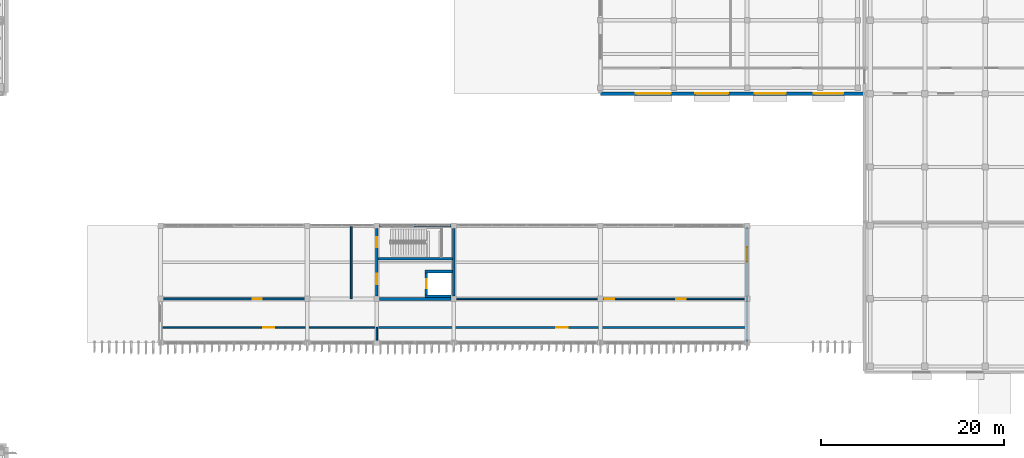
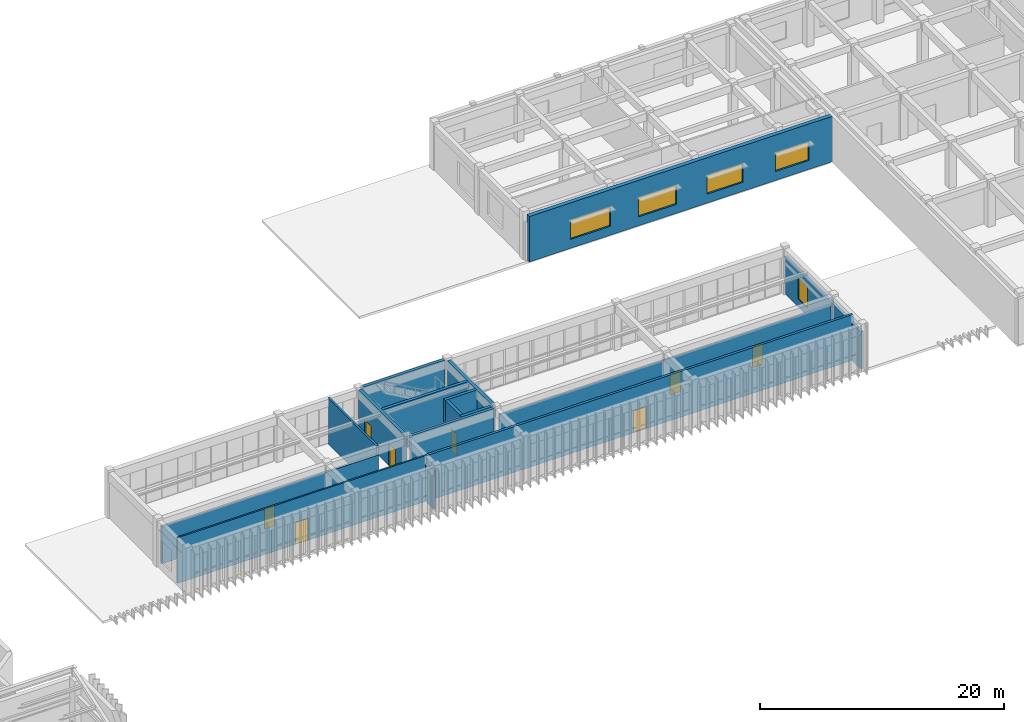
# One storey, part 54 of 76: 16 walls, 8 doors, 5 windows, 13 openings.
"""IFC4 building model written with IfcOpenShell, lengths in metres."""

from ifc_helpers import new_model, si_unit, direction, frame, frame_2d, origin, place, context, subcontext, project, spatial, rectangle, extrude, material, layer, layer_set, type_object, element, fill, save


model = new_model("IFC4")

# Units and contexts
model_context = context("Model", 3, precision=1e-05, world=origin(), true_north=direction((0.0, 1.0)))
body_context = subcontext(model_context, "Body", "Model", "MODEL_VIEW")
ifc_project = project(units=[si_unit("LENGTHUNIT", "METRE"), si_unit("AREAUNIT", "SQUARE_METRE"), si_unit("VOLUMEUNIT", "CUBIC_METRE"), si_unit("PLANEANGLEUNIT", "RADIAN"), si_unit("MASSUNIT", "GRAM", prefix="KILO")], contexts=[model_context])

# Site, building, storey
site_placement = place(None, origin())
site = spatial("IfcSite", under=ifc_project, at=site_placement, CompositionType="ELEMENT")
building_placement = place(site_placement, origin())
building = spatial("IfcBuilding", under=site, at=building_placement, Name="Cinchona Park Media Centre", CompositionType="ELEMENT")
storey_placement = place(building_placement, frame((0.0, 0.0, 15.60009765625)))
storey = spatial("IfcBuildingStorey", under=building, at=storey_placement, Name="L03", CompositionType="ELEMENT", Elevation=15.60009765625)

# Wall, opening, door
ifc_material_1 = material(Name="Acoustic Double-Stud Gypsum Partition", Category="gypsum")
ifc_layer_1 = layer(ifc_material_1, 0.2099609375)
ifc_layer_set_1 = layer_set([ifc_layer_1], Name="Acoustic Double-Stud Gypsum Partition")
wall_type_1 = type_object("IfcWallType", Name="WALL-W-AC210", PredefinedType="PARTITIONING", material=ifc_layer_set_1)
wall_1_placement = place(storey_placement, frame((63.10205078125, 79.60009765625, 0.0), z_axis=(0.0, 0.0, 1.0), x_axis=(1.0, 0.0, 0.0)))
wall_1 = element("IfcWall", 1, at=wall_1_placement, inside=storey, type_object=wall_type_1, Name="Interior Wall W-AC210 L03", PredefinedType="PARTITIONING", context=body_context, shape_type="SweptSolid", body=[
    extrude(rectangle(XDim=20.498046875, YDim=0.2099609375, at=frame_2d((10.2490234375, 0.0))), origin(), (0.0, 0.0, 1.0), 3.72998046875),
])
opening_1_placement = place(wall_1_placement, frame((9.77392578125, 0.0, 0.0)))
opening_1 = element("IfcOpeningElement", 2, at=opening_1_placement, cuts=wall_1, Name="Opening D314", PredefinedType="OPENING", context=body_context, shape_type="SweptSolid", body=[
    extrude(rectangle(XDim=0.949951171875, YDim=2.10009765625, at=frame_2d((0.47509765625, 1.050048828125))), frame((0.0, 0.114990234375, 0.0), z_axis=(0.0, -1.0, 0.0), x_axis=(1.0, 0.0, 0.0)), (0.0, 0.0, 1.0), 0.22998046875),
])
ifc_material_2 = material(Name="Solid-Core Timber Acoustic Door", Category="wood")
door_type_1 = type_object("IfcDoorType", Name="DOOR-DT02", OperationType="NOTDEFINED", PredefinedType="DOOR", material=ifc_material_2)
door_1_placement = place(opening_1_placement, origin())
door_1 = element("IfcDoor", 3, at=door_1_placement, inside=storey, type_object=door_type_1, Name="Interior Door D314", OperationType="SINGLE_SWING_RIGHT", OverallHeight=2.10009765625, OverallWidth=0.949951171875, PredefinedType="DOOR", context=body_context, shape_type="SweptSolid", body=[
    extrude(rectangle(XDim=0.949951171875, YDim=2.10009765625, at=frame_2d((0.47509765625, 1.050048828125))), frame((0.0, 0.02490234375, 0.0), z_axis=(0.0, -1.0, 0.0), x_axis=(1.0, 0.0, 0.0)), (0.0, 0.0, 1.0), 0.050048828125),
])
fill(opening_1, door_1)

ifc_material_3 = material(Name="Acoustic Double-Stud Gypsum Partition", Category="gypsum")
ifc_layer_2 = layer(ifc_material_3, 0.239990234375)
ifc_layer_set_2 = layer_set([ifc_layer_2], Name="Acoustic Double-Stud Gypsum Partition")
wall_type_2 = type_object("IfcWallType", Name="WALL-W-AC240", PredefinedType="PARTITIONING", material=ifc_layer_set_2)
wall_2_placement = place(storey_placement, frame((126.800048828125, 76.5, 0.0), z_axis=(0.0, 0.0, 1.0), x_axis=(-1.0, 0.0, 0.0)))
wall_2 = element("IfcWall", 4, at=wall_2_placement, inside=storey, type_object=wall_type_2, Name="Interior Wall W-AC240 L03", PredefinedType="PARTITIONING", context=body_context, shape_type="SweptSolid", body=[
    extrude(rectangle(XDim=40.400146484375, YDim=0.239990234375, at=frame_2d((20.2001953125, 0.0))), origin(), (0.0, 0.0, 1.0), 4.579833984375),
])
opening_2_placement = place(wall_2_placement, frame((19.570068359375, 0.0, 0.0)))
opening_2 = element("IfcOpeningElement", 5, at=opening_2_placement, cuts=wall_2, Name="Opening D313", PredefinedType="OPENING", context=body_context, shape_type="SweptSolid", body=[
    extrude(rectangle(XDim=1.260009765625, YDim=2.199951171875, at=frame_2d((0.6298828125, 1.10009765625))), frame((0.0, 0.1298828125, 0.0), z_axis=(0.0, -1.0, 0.0), x_axis=(1.0, 0.0, 0.0)), (0.0, 0.0, 1.0), 0.260009765625),
])
ifc_material_4 = material(Name="Fire-Rated Acoustic Timber-Steel Door", Category="steel")
door_type_2 = type_object("IfcDoorType", Name="DOOR-DT11", OperationType="NOTDEFINED", PredefinedType="DOOR", material=ifc_material_4)
door_2_placement = place(opening_2_placement, origin())
door_2 = element("IfcDoor", 6, at=door_2_placement, inside=storey, type_object=door_type_2, Name="Interior Door D313", OperationType="SINGLE_SWING_LEFT", OverallHeight=2.199951171875, OverallWidth=1.260009765625, PredefinedType="DOOR", context=body_context, shape_type="SweptSolid", body=[
    extrude(rectangle(XDim=1.260009765625, YDim=2.199951171875, at=frame_2d((0.6298828125, 1.10009765625))), frame((0.0, 0.02490234375, 0.0), z_axis=(0.0, -1.0, 0.0), x_axis=(1.0, 0.0, 0.0)), (0.0, 0.0, 1.0), 0.050048828125),
])
fill(opening_2, door_2)

# Wall, openings, windows
ifc_material_5 = material(Name="Precast concrete C40/50", Category="concrete")
ifc_layer_3 = layer(ifc_material_5, 0.3798828125)
ifc_layer_set_3 = layer_set([ifc_layer_3], Name="Precast concrete C40/50")
wall_type_3 = type_object("IfcWallType", Name="WALL-W-EX01", PredefinedType="SOLIDWALL", material=ifc_layer_set_3)
wall_3_placement = place(storey_placement, frame((139.5, 102.0, 0.0), z_axis=(0.0, 0.0, 1.0), x_axis=(-1.0, 0.0, 0.0)))
wall_3 = element("IfcWall", 7, at=wall_3_placement, inside=storey, type_object=wall_type_3, Name="Exterior Wall W-EX01 V3 L03", PredefinedType="SOLIDWALL", context=body_context, shape_type="SweptSolid", body=[
    extrude(rectangle(XDim=28.699951171875, YDim=0.3798828125, at=frame_2d((14.35009765625, 0.0))), origin(), (0.0, 0.0, 1.0), 4.554931640625),
])
opening_3_placement = place(wall_3_placement, frame((2.199951171875, 0.0, 0.89990234375)))
opening_3 = element("IfcOpeningElement", 8, at=opening_3_placement, cuts=wall_3, Name="Opening WN33", PredefinedType="OPENING", context=body_context, shape_type="SweptSolid", body=[
    extrude(rectangle(XDim=3.199951171875, YDim=1.85009765625, at=frame_2d((1.60009765625, 0.925048828125))), frame((0.0, 0.199951171875, 0.0), z_axis=(0.0, -1.0, 0.0), x_axis=(1.0, 0.0, 0.0)), (0.0, 0.0, 1.0), 0.39990234375),
])
opening_4_placement = place(wall_3_placement, frame((8.47509765625, 0.0, 0.89990234375)))
opening_4 = element("IfcOpeningElement", 9, at=opening_4_placement, cuts=wall_3, Name="Opening WN34", PredefinedType="OPENING", context=body_context, shape_type="SweptSolid", body=[
    extrude(rectangle(XDim=3.39990234375, YDim=1.85009765625, at=frame_2d((1.699951171875, 0.925048828125))), frame((0.0, 0.199951171875, 0.0), z_axis=(0.0, -1.0, 0.0), x_axis=(1.0, 0.0, 0.0)), (0.0, 0.0, 1.0), 0.39990234375),
])
opening_5_placement = place(wall_3_placement, frame((14.75, 0.0, 0.89990234375)))
opening_5 = element("IfcOpeningElement", 10, at=opening_5_placement, cuts=wall_3, Name="Opening WN35", PredefinedType="OPENING", context=body_context, shape_type="SweptSolid", body=[
    extrude(rectangle(XDim=3.60009765625, YDim=1.89990234375, at=frame_2d((1.800048828125, 0.949951171875))), frame((0.0, 0.199951171875, 0.0), z_axis=(0.0, -1.0, 0.0), x_axis=(1.0, 0.0, 0.0)), (0.0, 0.0, 1.0), 0.39990234375),
])
opening_6_placement = place(wall_3_placement, frame((21.02490234375, 0.0, 0.89990234375)))
opening_6 = element("IfcOpeningElement", 11, at=opening_6_placement, cuts=wall_3, Name="Opening WN36", PredefinedType="OPENING", context=body_context, shape_type="SweptSolid", body=[
    extrude(rectangle(XDim=3.800048828125, YDim=1.89990234375, at=frame_2d((1.89990234375, 0.949951171875))), frame((0.0, 0.199951171875, 0.0), z_axis=(0.0, -1.0, 0.0), x_axis=(1.0, 0.0, 0.0)), (0.0, 0.0, 1.0), 0.39990234375),
])
ifc_material_6 = material(Name="Thermally Broken Aluminium Solar-Control Window", Category="aluminium")
window_type_1 = type_object("IfcWindowType", Name="WIN-WN33", PartitioningType="SINGLE_PANEL", PredefinedType="WINDOW", material=ifc_material_6)
window_1_placement = place(opening_3_placement, origin())
window_1 = element("IfcWindow", 12, at=window_1_placement, inside=storey, type_object=window_type_1, Name="Window WN33 L03", OverallHeight=1.85009765625, OverallWidth=3.199951171875, PartitioningType="SINGLE_PANEL", PredefinedType="WINDOW", context=body_context, shape_type="SweptSolid", body=[
    extrude(rectangle(XDim=3.199951171875, YDim=1.85009765625, at=frame_2d((1.60009765625, 0.925048828125))), frame((0.0, 0.030029296875, 0.0), z_axis=(0.0, -1.0, 0.0), x_axis=(1.0, 0.0, 0.0)), (0.0, 0.0, 1.0), 0.06005859375),
])
fill(opening_3, window_1)
ifc_material_7 = material(Name="Thermally Broken Aluminium Solar-Control Window", Category="aluminium")
window_type_2 = type_object("IfcWindowType", Name="WIN-WN34", PartitioningType="SINGLE_PANEL", PredefinedType="WINDOW", material=ifc_material_7)
window_2_placement = place(opening_4_placement, origin())
window_2 = element("IfcWindow", 13, at=window_2_placement, inside=storey, type_object=window_type_2, Name="Window WN34 L03", OverallHeight=1.85009765625, OverallWidth=3.39990234375, PartitioningType="SINGLE_PANEL", PredefinedType="WINDOW", context=body_context, shape_type="SweptSolid", body=[
    extrude(rectangle(XDim=3.39990234375, YDim=1.85009765625, at=frame_2d((1.699951171875, 0.925048828125))), frame((0.0, 0.030029296875, 0.0), z_axis=(0.0, -1.0, 0.0), x_axis=(1.0, 0.0, 0.0)), (0.0, 0.0, 1.0), 0.06005859375),
])
fill(opening_4, window_2)
ifc_material_8 = material(Name="Thermally Broken Aluminium Solar-Control Window", Category="aluminium")
window_type_3 = type_object("IfcWindowType", Name="WIN-WN35", PartitioningType="SINGLE_PANEL", PredefinedType="WINDOW", material=ifc_material_8)
window_3_placement = place(opening_5_placement, origin())
window_3 = element("IfcWindow", 14, at=window_3_placement, inside=storey, type_object=window_type_3, Name="Window WN35 L03", OverallHeight=1.89990234375, OverallWidth=3.60009765625, PartitioningType="SINGLE_PANEL", PredefinedType="WINDOW", context=body_context, shape_type="SweptSolid", body=[
    extrude(rectangle(XDim=3.60009765625, YDim=1.89990234375, at=frame_2d((1.800048828125, 0.949951171875))), frame((0.0, 0.030029296875, 0.0), z_axis=(0.0, -1.0, 0.0), x_axis=(1.0, 0.0, 0.0)), (0.0, 0.0, 1.0), 0.06005859375),
])
fill(opening_5, window_3)
ifc_material_9 = material(Name="Thermally Broken Aluminium Solar-Control Window", Category="aluminium")
window_type_4 = type_object("IfcWindowType", Name="WIN-WN36", PartitioningType="SINGLE_PANEL", PredefinedType="WINDOW", material=ifc_material_9)
window_4_placement = place(opening_6_placement, origin())
window_4 = element("IfcWindow", 15, at=window_4_placement, inside=storey, type_object=window_type_4, Name="Window WN36 L03", OverallHeight=1.89990234375, OverallWidth=3.800048828125, PartitioningType="SINGLE_PANEL", PredefinedType="WINDOW", context=body_context, shape_type="SweptSolid", body=[
    extrude(rectangle(XDim=3.800048828125, YDim=1.89990234375, at=frame_2d((1.89990234375, 0.949951171875))), frame((0.0, 0.030029296875, 0.0), z_axis=(0.0, -1.0, 0.0), x_axis=(1.0, 0.0, 0.0)), (0.0, 0.0, 1.0), 0.06005859375),
])
fill(opening_6, window_4)

# Wall, opening, window
ifc_material_10 = material(Name="Precast concrete C40/50", Category="concrete")
ifc_layer_4 = layer(ifc_material_10, 0.25)
ifc_layer_set_4 = layer_set([ifc_layer_4], Name="Precast concrete C40/50")
wall_type_4 = type_object("IfcWallType", Name="WALL-W-EX04", PredefinedType="SOLIDWALL", material=ifc_layer_set_4)
wall_4_placement = place(storey_placement, frame((126.800048828125, 87.4599609375, 0.0), z_axis=(0.0, 0.0, 1.0), x_axis=(0.0, -1.0, 0.0)))
wall_4 = element("IfcWall", 16, at=wall_4_placement, inside=storey, type_object=wall_type_4, Name="Exterior Wall W-EX04 V5 L03", PredefinedType="SOLIDWALL", context=body_context, shape_type="SweptSolid", body=[
    extrude(rectangle(XDim=12.52001953125, YDim=0.25, at=frame_2d((6.260009765625, 0.0))), origin(), (0.0, 0.0, 1.0), 3.72998046875),
])
opening_7_placement = place(wall_4_placement, frame((2.199951171875, 0.0, 0.800048828125)))
opening_7 = element("IfcOpeningElement", 17, at=opening_7_placement, cuts=wall_4, Name="Opening WN03", PredefinedType="OPENING", context=body_context, shape_type="SweptSolid", body=[
    extrude(rectangle(XDim=1.60009765625, YDim=2.10009765625, at=frame_2d((0.800048828125, 1.050048828125))), frame((0.0, 0.135009765625, 0.0), z_axis=(0.0, -1.0, 0.0), x_axis=(1.0, 0.0, 0.0)), (0.0, 0.0, 1.0), 0.27001953125),
])
ifc_material_11 = material(Name="Thermally Broken Aluminium Solar-Control Window", Category="aluminium")
window_type_5 = type_object("IfcWindowType", Name="WIN-WN03", PartitioningType="SINGLE_PANEL", PredefinedType="WINDOW", material=ifc_material_11)
window_5_placement = place(opening_7_placement, origin())
window_5 = element("IfcWindow", 18, at=window_5_placement, inside=storey, type_object=window_type_5, Name="Window WN03 L03", OverallHeight=2.10009765625, OverallWidth=1.60009765625, PartitioningType="SINGLE_PANEL", PredefinedType="WINDOW", context=body_context, shape_type="SweptSolid", body=[
    extrude(rectangle(XDim=1.60009765625, YDim=2.10009765625, at=frame_2d((0.800048828125, 1.050048828125))), frame((0.0, 0.030029296875, 0.0), z_axis=(0.0, -1.0, 0.0), x_axis=(1.0, 0.0, 0.0)), (0.0, 0.0, 1.0), 0.06005859375),
])
fill(opening_7, window_5)

# Wall, opening, door
ifc_material_12 = material(Name="Fire-Rated Gypsum Stud Partition", Category="gypsum")
ifc_layer_5 = layer(ifc_material_12, 0.14990234375)
ifc_layer_set_5 = layer_set([ifc_layer_5], Name="Fire-Rated Gypsum Stud Partition")
wall_type_5 = type_object("IfcWallType", Name="WALL-W-PT150", PredefinedType="PARTITIONING", material=ifc_layer_set_5)
wall_5_placement = place(storey_placement, frame((86.39990234375, 76.5, 0.0), z_axis=(0.0, 0.0, 1.0), x_axis=(-1.0, 0.0, 0.0)))
wall_5 = element("IfcWall", 19, at=wall_5_placement, inside=storey, type_object=wall_type_5, Name="Interior Wall W-PT150 L03", PredefinedType="PARTITIONING", context=body_context, shape_type="SweptSolid", body=[
    extrude(rectangle(XDim=23.599853515625, YDim=0.14990234375, at=frame_2d((11.7998046875, 0.0))), origin(), (0.0, 0.0, 1.0), 4.579833984375),
])
opening_8_placement = place(wall_5_placement, frame((11.18994140625, 0.0, 0.0)))
opening_8 = element("IfcOpeningElement", 20, at=opening_8_placement, cuts=wall_5, Name="Opening D312", PredefinedType="OPENING", context=body_context, shape_type="SweptSolid", body=[
    extrude(rectangle(XDim=1.219970703125, YDim=2.199951171875, at=frame_2d((0.60986328125, 1.10009765625))), frame((0.0, 0.0849609375, 0.0), z_axis=(0.0, -1.0, 0.0), x_axis=(1.0, 0.0, 0.0)), (0.0, 0.0, 1.0), 0.169921875),
])
ifc_material_13 = material(Name="Fire-Rated Acoustic Timber-Steel Door", Category="steel")
door_type_3 = type_object("IfcDoorType", Name="DOOR-DT10", OperationType="NOTDEFINED", PredefinedType="DOOR", material=ifc_material_13)
door_3_placement = place(opening_8_placement, origin())
door_3 = element("IfcDoor", 21, at=door_3_placement, inside=storey, type_object=door_type_3, Name="Interior Door D312", OperationType="SINGLE_SWING_RIGHT", OverallHeight=2.199951171875, OverallWidth=1.219970703125, PredefinedType="DOOR", context=body_context, shape_type="SweptSolid", body=[
    extrude(rectangle(XDim=1.219970703125, YDim=2.199951171875, at=frame_2d((0.60986328125, 1.10009765625))), frame((0.0, 0.02490234375, 0.0), z_axis=(0.0, -1.0, 0.0), x_axis=(1.0, 0.0, 0.0)), (0.0, 0.0, 1.0), 0.050048828125),
])
fill(opening_8, door_3)

# Wall
wall_6_placement = place(storey_placement, frame((86.39990234375, 76.5, 0.0), z_axis=(0.0, 0.0, 1.0), x_axis=(0.0, -1.0, 0.0)))
element("IfcWall", 22, at=wall_6_placement, inside=storey, type_object=wall_type_5, Name="Interior Wall W-PT150 L03", PredefinedType="PARTITIONING", context=body_context, shape_type="SweptSolid", body=[
    extrude(rectangle(XDim=1.39794921875, YDim=0.14990234375, at=frame_2d((0.698974609375, 0.0))), origin(), (0.0, 0.0, 1.0), 3.829833984375),
])

# Wall, openings, doors
ifc_material_14 = material(Name="Fire-Rated Gypsum Stud Partition", Category="gypsum")
ifc_layer_6 = layer(ifc_material_14, 0.1650390625)
ifc_layer_set_6 = layer_set([ifc_layer_6], Name="Fire-Rated Gypsum Stud Partition")
wall_type_6 = type_object("IfcWallType", Name="WALL-W-PT165", PredefinedType="PARTITIONING", material=ifc_layer_set_6)
wall_7_placement = place(storey_placement, frame((95.10205078125, 79.60009765625, 0.0), z_axis=(0.0, 0.0, 1.0), x_axis=(1.0, 0.0, 0.0)))
wall_7 = element("IfcWall", 23, at=wall_7_placement, inside=storey, type_object=wall_type_6, Name="Interior Wall W-PT165 L03", PredefinedType="PARTITIONING", context=body_context, shape_type="SweptSolid", body=[
    extrude(rectangle(XDim=31.39599609375, YDim=0.1650390625, at=frame_2d((15.697998046875, 0.0))), origin(), (0.0, 0.0, 1.0), 3.72998046875),
])
opening_9_placement = place(wall_7_placement, frame((16.179931640625, 0.0, 0.0)))
opening_9 = element("IfcOpeningElement", 24, at=opening_9_placement, cuts=wall_7, Name="Opening D315", PredefinedType="OPENING", context=body_context, shape_type="SweptSolid", body=[
    extrude(rectangle(XDim=1.02001953125, YDim=2.10009765625, at=frame_2d((0.510009765625, 1.050048828125))), frame((0.0, 0.092529296875, 0.0), z_axis=(0.0, -1.0, 0.0), x_axis=(1.0, 0.0, 0.0)), (0.0, 0.0, 1.0), 0.18505859375),
])
opening_10_placement = place(wall_7_placement, frame((23.97900390625, 0.0, 0.0)))
opening_10 = element("IfcOpeningElement", 25, at=opening_10_placement, cuts=wall_7, Name="Opening D316", PredefinedType="OPENING", context=body_context, shape_type="SweptSolid", body=[
    extrude(rectangle(XDim=1.02001953125, YDim=2.10009765625, at=frame_2d((0.510009765625, 1.050048828125))), frame((0.0, 0.092529296875, 0.0), z_axis=(0.0, -1.0, 0.0), x_axis=(1.0, 0.0, 0.0)), (0.0, 0.0, 1.0), 0.18505859375),
])
ifc_material_15 = material(Name="Solid-Core Timber Acoustic Door", Category="wood")
door_type_4 = type_object("IfcDoorType", Name="DOOR-DT05", OperationType="NOTDEFINED", PredefinedType="DOOR", material=ifc_material_15)
door_4_placement = place(opening_9_placement, origin())
door_4 = element("IfcDoor", 26, at=door_4_placement, inside=storey, type_object=door_type_4, Name="Interior Door D315", OperationType="SINGLE_SWING_LEFT", OverallHeight=2.10009765625, OverallWidth=1.02001953125, PredefinedType="DOOR", context=body_context, shape_type="SweptSolid", body=[
    extrude(rectangle(XDim=1.02001953125, YDim=2.10009765625, at=frame_2d((0.510009765625, 1.050048828125))), frame((0.0, 0.02490234375, 0.0), z_axis=(0.0, -1.0, 0.0), x_axis=(1.0, 0.0, 0.0)), (0.0, 0.0, 1.0), 0.050048828125),
])
fill(opening_9, door_4)
door_5_placement = place(opening_10_placement, origin())
door_5 = element("IfcDoor", 27, at=door_5_placement, inside=storey, type_object=door_type_4, Name="Interior Door D316", OperationType="SINGLE_SWING_RIGHT", OverallHeight=2.10009765625, OverallWidth=1.02001953125, PredefinedType="DOOR", context=body_context, shape_type="SweptSolid", body=[
    extrude(rectangle(XDim=1.02001953125, YDim=2.10009765625, at=frame_2d((0.510009765625, 1.050048828125))), frame((0.0, 0.02490234375, 0.0), z_axis=(0.0, -1.0, 0.0), x_axis=(1.0, 0.0, 0.0)), (0.0, 0.0, 1.0), 0.050048828125),
])
fill(opening_10, door_5)

# Walls
ifc_material_16 = material(Name="Fire-Rated Gypsum Stud Partition", Category="gypsum")
ifc_layer_7 = layer(ifc_material_16, 0.18994140625)
ifc_layer_set_7 = layer_set([ifc_layer_7], Name="Fire-Rated Gypsum Stud Partition")
wall_type_7 = type_object("IfcWallType", Name="WALL-W-PT190", PredefinedType="PARTITIONING", material=ifc_layer_set_7)
wall_8_placement = place(storey_placement, frame((83.60009765625, 79.60009765625, 0.0), z_axis=(0.0, 0.0, 1.0), x_axis=(0.0, 1.0, 0.0)))
element("IfcWall", 28, at=wall_8_placement, inside=storey, type_object=wall_type_7, Name="Interior Wall W-PT190 L03", PredefinedType="PARTITIONING", context=body_context, shape_type="SweptSolid", body=[
    extrude(rectangle(XDim=8.0, YDim=0.18994140625, at=frame_2d((4.0, 0.0))), origin(), (0.0, 0.0, 1.0), 4.579833984375),
])
ifc_material_17 = material(Name="Concrete C40/50", Category="concrete")
ifc_layer_8 = layer(ifc_material_17, 0.2900390625)
ifc_layer_set_8 = layer_set([ifc_layer_8], Name="Concrete C40/50")
wall_type_8 = type_object("IfcWallType", Name="WALL-W-SH290", PredefinedType="SHEAR", material=ifc_layer_set_8)
for number, where, z_axis, x_axis, name in (
    (29, (86.701904296875, 79.60009765625, 0.0), (0.0, 0.0, 1.0), (1.0, 0.0, 0.0), "Core Shear Wall W-SH290 L03"),
    (30, (86.701904296875, 87.60009765625, 0.0), (0.0, 0.0, 1.0), (1.0, 0.0, 0.0), "Core Shear Wall W-SH290 L03"),
):
    element("IfcWall", number, at=place(storey_placement, frame(where, z_axis=z_axis, x_axis=x_axis)), inside=storey, type_object=wall_type_8, Name=name, PredefinedType="SHEAR", context=body_context, shape_type="SweptSolid", body=[
        extrude(rectangle(XDim=7.796142578125, YDim=0.2900390625, at=frame_2d((3.89794921875, 0.0))), origin(), (0.0, 0.0, 1.0), 4.579833984375),
    ])

# Wall, openings, doors
wall_9_placement = place(storey_placement, frame((86.39990234375, 79.902099609375, 0.0), z_axis=(0.0, 0.0, 1.0), x_axis=(0.0, 1.0, 0.0)))
wall_9 = element("IfcWall", 31, at=wall_9_placement, inside=storey, type_object=wall_type_8, Name="Core Shear Wall W-SH290 L03", PredefinedType="SHEAR", context=body_context, shape_type="SweptSolid", body=[
    extrude(rectangle(XDim=7.39599609375, YDim=0.2900390625, at=frame_2d((3.697998046875, 0.0))), origin(), (0.0, 0.0, 1.0), 4.579833984375),
])
opening_11_placement = place(wall_9_placement, frame((5.347900390625, 0.0, 0.0)))
opening_11 = element("IfcOpeningElement", 32, at=opening_11_placement, cuts=wall_9, Name="Opening D100", PredefinedType="OPENING", context=body_context, shape_type="SweptSolid", body=[
    extrude(rectangle(XDim=1.10009765625, YDim=2.14990234375, at=frame_2d((0.550048828125, 1.074951171875))), frame((0.0, 0.155029296875, 0.0), z_axis=(0.0, -1.0, 0.0), x_axis=(1.0, 0.0, 0.0)), (0.0, 0.0, 1.0), 0.31005859375),
])
opening_12_placement = place(wall_9_placement, frame((1.322998046875, 0.0, 0.0)))
opening_12 = element("IfcOpeningElement", 33, at=opening_12_placement, cuts=wall_9, Name="Opening D101", PredefinedType="OPENING", context=body_context, shape_type="SweptSolid", body=[
    extrude(rectangle(XDim=1.14990234375, YDim=2.199951171875, at=frame_2d((0.574951171875, 1.10009765625))), frame((0.0, 0.155029296875, 0.0), z_axis=(0.0, -1.0, 0.0), x_axis=(1.0, 0.0, 0.0)), (0.0, 0.0, 1.0), 0.31005859375),
])
ifc_material_18 = material(Name="Insulated Fire-Rated Steel Door", Category="steel")
door_type_5 = type_object("IfcDoorType", Name="DOOR-DT-FF", OperationType="NOTDEFINED", PredefinedType="DOOR", material=ifc_material_18)
door_6_placement = place(opening_12_placement, origin())
door_6 = element("IfcDoor", 34, at=door_6_placement, inside=storey, type_object=door_type_5, Name="Interior Door D101", OperationType="SINGLE_SWING_LEFT", OverallHeight=2.199951171875, OverallWidth=1.14990234375, PredefinedType="DOOR", context=body_context, shape_type="SweptSolid", body=[
    extrude(rectangle(XDim=1.14990234375, YDim=2.199951171875, at=frame_2d((0.574951171875, 1.10009765625))), frame((0.0, 0.02490234375, 0.0), z_axis=(0.0, -1.0, 0.0), x_axis=(1.0, 0.0, 0.0)), (0.0, 0.0, 1.0), 0.050048828125),
])
fill(opening_12, door_6)
ifc_material_19 = material(Name="Insulated Fire-Rated Steel Door", Category="steel")
door_type_6 = type_object("IfcDoorType", Name="DOOR-DT-ST", OperationType="NOTDEFINED", PredefinedType="DOOR", material=ifc_material_19)
door_7_placement = place(opening_11_placement, origin())
door_7 = element("IfcDoor", 35, at=door_7_placement, inside=storey, type_object=door_type_6, Name="Interior Door D100", OperationType="SINGLE_SWING_RIGHT", OverallHeight=2.14990234375, OverallWidth=1.10009765625, PredefinedType="DOOR", context=body_context, shape_type="SweptSolid", body=[
    extrude(rectangle(XDim=1.10009765625, YDim=2.14990234375, at=frame_2d((0.550048828125, 1.074951171875))), frame((0.0, 0.02490234375, 0.0), z_axis=(0.0, -1.0, 0.0), x_axis=(1.0, 0.0, 0.0)), (0.0, 0.0, 1.0), 0.050048828125),
])
fill(opening_11, door_7)

# Walls
wall_10_placement = place(storey_placement, frame((94.800048828125, 79.902099609375, 0.0), z_axis=(0.0, 0.0, 1.0), x_axis=(0.0, 1.0, 0.0)))
element("IfcWall", 36, at=wall_10_placement, inside=storey, type_object=wall_type_8, Name="Core Shear Wall W-SH290 L03", PredefinedType="SHEAR", context=body_context, shape_type="SweptSolid", body=[
    extrude(rectangle(XDim=7.39599609375, YDim=0.2900390625, at=frame_2d((3.697998046875, 0.0))), origin(), (0.0, 0.0, 1.0), 4.579833984375),
])
wall_11_placement = place(storey_placement, frame((86.544921875, 84.0, 0.0), z_axis=(0.0, 0.0, 1.0), x_axis=(1.0, 0.0, 0.0)))
element("IfcWall", 37, at=wall_11_placement, inside=storey, type_object=wall_type_8, Name="Core Shear Wall W-SH290 L03", PredefinedType="SHEAR", context=body_context, shape_type="SweptSolid", body=[
    extrude(rectangle(XDim=8.110107421875, YDim=0.2900390625, at=frame_2d((4.05517578125, 0.0))), origin(), (0.0, 0.0, 1.0), 4.579833984375),
])
wall_12_placement = place(storey_placement, frame((91.655029296875, 79.89990234375, 0.0), z_axis=(0.0, 0.0, 1.0), x_axis=(1.0, 0.0, 0.0)))
element("IfcWall", 38, at=wall_12_placement, inside=storey, type_object=wall_type_8, Name="Core Shear Wall W-SH290 L03", PredefinedType="SHEAR", context=body_context, shape_type="SweptSolid", body=[
    extrude(rectangle(XDim=2.843017578125, YDim=0.2900390625, at=frame_2d((1.42138671875, 0.0))), origin(), (0.0, 0.0, 1.0), 4.579833984375),
])
wall_13_placement = place(storey_placement, frame((91.655029296875, 82.60009765625, 0.0), z_axis=(0.0, 0.0, 1.0), x_axis=(1.0, 0.0, 0.0)))
element("IfcWall", 39, at=wall_13_placement, inside=storey, type_object=wall_type_8, Name="Core Shear Wall W-SH290 L03", PredefinedType="SHEAR", context=body_context, shape_type="SweptSolid", body=[
    extrude(rectangle(XDim=2.989990234375, YDim=0.2900390625, at=frame_2d((1.4951171875, 0.0))), origin(), (0.0, 0.0, 1.0), 4.579833984375),
])

# Wall, opening, door
wall_14_placement = place(storey_placement, frame((91.800048828125, 80.044921875, 0.0), z_axis=(0.0, 0.0, 1.0), x_axis=(0.0, 1.0, 0.0)))
wall_14 = element("IfcWall", 40, at=wall_14_placement, inside=storey, type_object=wall_type_8, Name="Core Shear Wall W-SH290 L03", PredefinedType="SHEAR", context=body_context, shape_type="SweptSolid", body=[
    extrude(rectangle(XDim=2.41015625, YDim=0.2900390625, at=frame_2d((1.205078125, 0.0))), origin(), (0.0, 0.0, 1.0), 4.579833984375),
])
opening_13_placement = place(wall_14_placement, frame((0.705078125, 0.0, 0.0)))
opening_13 = element("IfcOpeningElement", 41, at=opening_13_placement, cuts=wall_14, Name="Opening LD33", PredefinedType="OPENING", context=body_context, shape_type="SweptSolid", body=[
    extrude(rectangle(XDim=1.0, YDim=2.14990234375, at=frame_2d((0.5, 1.074951171875))), frame((0.0, 0.155029296875, 0.0), z_axis=(0.0, -1.0, 0.0), x_axis=(1.0, 0.0, 0.0)), (0.0, 0.0, 1.0), 0.31005859375),
])
ifc_material_20 = material(Name="Stainless Steel Sliding Lift Landing Door", Category="steel")
door_type_7 = type_object("IfcDoorType", Name="DOOR-DT-LD2", OperationType="NOTDEFINED", PredefinedType="DOOR", material=ifc_material_20)
door_8_placement = place(opening_13_placement, origin())
door_8 = element("IfcDoor", 42, at=door_8_placement, inside=storey, type_object=door_type_7, Name="Lift Landing Door LD33", OperationType="SLIDING_TO_LEFT", OverallHeight=2.14990234375, OverallWidth=1.0, PredefinedType="DOOR", context=body_context, shape_type="SweptSolid", body=[
    extrude(rectangle(XDim=1.0, YDim=2.14990234375, at=frame_2d((0.5, 1.074951171875))), frame((0.0, 0.02490234375, 0.0), z_axis=(0.0, -1.0, 0.0), x_axis=(1.0, 0.0, 0.0)), (0.0, 0.0, 1.0), 0.050048828125),
])
fill(opening_13, door_8)

save(model, "model.ifc")
